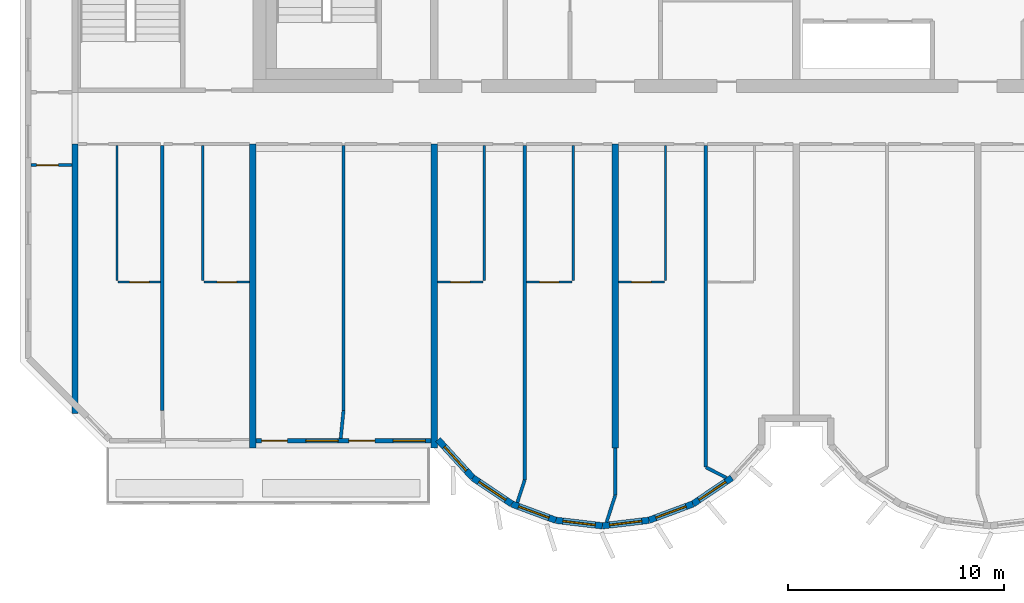
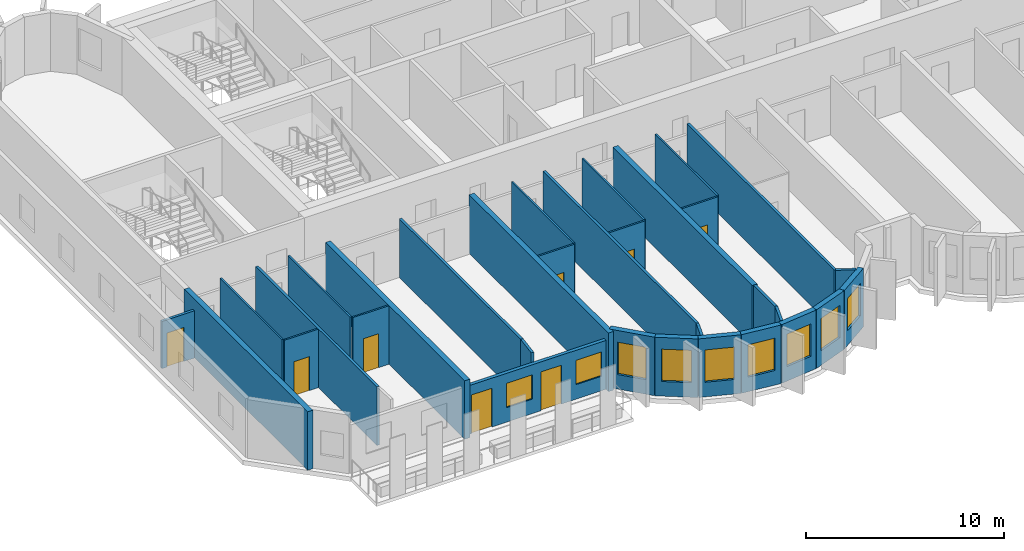
# One storey, part 2 of 11: 32 walls, 9 windows, 8 doors, 17 openings.
"""IFC4 building model written with IfcOpenShell, lengths in metres."""

from ifc_helpers import new_model, si_unit, direction, frame, frame_2d, origin, place, context, subcontext, project, spatial, rectangle, extrude, source, transform, mapped, material, layer, layer_set, type_object, element, fill, save


model = new_model("IFC4")

# Units and contexts
model_context = context("Model", 3, precision=1e-05, world=origin(), true_north=direction((0.0, 1.0)))
body_context = subcontext(model_context, "Body", "Model", "MODEL_VIEW")
ifc_project = project(units=[si_unit("LENGTHUNIT", "METRE"), si_unit("AREAUNIT", "SQUARE_METRE"), si_unit("VOLUMEUNIT", "CUBIC_METRE"), si_unit("PLANEANGLEUNIT", "RADIAN"), si_unit("MASSUNIT", "GRAM", prefix="KILO")], contexts=[model_context])

# Site, building, storey
site_placement = place(None, origin())
site = spatial("IfcSite", under=ifc_project, at=site_placement, CompositionType="ELEMENT")
building_placement = place(site_placement, origin())
building = spatial("IfcBuilding", under=site, at=building_placement, Name="Vanashikhar Sky Hotel", CompositionType="ELEMENT")
storey_placement = place(building_placement, frame((0.0, 0.0, 241.300048828125)))
storey = spatial("IfcBuildingStorey", under=building, at=storey_placement, Name="L58", CompositionType="ELEMENT", Elevation=241.300048828125)

# Walls
ifc_material_1 = material(Name="Concrete M60", Category="concrete")
ifc_layer_1 = layer(ifc_material_1, 0.300048828125)
ifc_layer_set_1 = layer_set([ifc_layer_1], Name="RC shear wall 300 Concrete M60")
wall_type_1 = type_object("IfcWallType", Name="RC shear wall 300 Concrete M60", PredefinedType="SHEAR", material=ifc_layer_set_1)
shared_shape_1 = source(origin(), body_context, "Body", "SweptSolid", [
    extrude(rectangle(XDim=12.5, YDim=0.300048828125, at=frame_2d((6.25, 0.0))), origin(), (0.0, 0.0, 1.0), 3.619873046875),
])
wall_1_placement = place(storey_placement, frame((16.949951171875, 7.10009765625, 0.0), z_axis=(0.0, 0.0, 1.0), x_axis=(0.0, 1.0, 0.0)))
element("IfcWall", 1, at=wall_1_placement, inside=storey, type_object=wall_type_1, Name="CW-L58-XW03-1", PredefinedType="SHEAR", context=body_context, shape_type="MappedRepresentation", body=[
    mapped(shared_shape_1, transform((0.0, 0.0, 0.0), scale=1.0)),
])
shared_shape_2 = source(origin(), body_context, "Body", "SweptSolid", [
    extrude(rectangle(XDim=14.10009765625, YDim=0.300048828125, at=frame_2d((7.050048828125, 0.0))), origin(), (0.0, 0.0, 1.0), 3.619873046875),
])
for number, where, z_axis, x_axis, name in (
    (2, (25.199951171875, 5.5, 0.0), (0.0, 0.0, 1.0), (0.0, 1.0, 0.0), "CW-L58-XW04-1"),
    (3, (33.60009765625, 5.5, 0.0), (0.0, 0.0, 1.0), (0.0, 1.0, 0.0), "CW-L58-XW05-1"),
    (4, (42.0, 5.5, 0.0), (0.0, 0.0, 1.0), (0.0, 1.0, 0.0), "CW-L58-XW06-1"),
):
    element("IfcWall", number, at=place(storey_placement, frame(where, z_axis=z_axis, x_axis=x_axis)), inside=storey, type_object=wall_type_1, Name=name, PredefinedType="SHEAR", context=body_context, shape_type="MappedRepresentation", body=[
        mapped(shared_shape_2, transform((0.0, 0.0, 0.0), scale=1.0)),
    ])

# Wall, openings, windows, doors
ifc_material_2 = material(Name="Concrete M50", Category="concrete")
ifc_layer_2 = layer(ifc_material_2, 0.199951171875)
ifc_layer_set_2 = layer_set([ifc_layer_2], Name="Front window wall 200")
wall_type_2 = type_object("IfcWallType", Name="Front window wall 200", PredefinedType="SOLIDWALL", material=ifc_layer_set_2)
shared_shape_3 = source(origin(), body_context, "Body", "SweptSolid", [
    extrude(rectangle(XDim=8.099853515625, YDim=0.199951171875, at=frame_2d((4.0498046875, 0.0))), origin(), (0.0, 0.0, 1.0), 3.02001953125),
])
wall_2_placement = place(storey_placement, frame((25.35009765625, 5.85009765625, 0.0), z_axis=(0.0, 0.0, 1.0), x_axis=(1.0, 0.0, 0.0)))
wall_2 = element("IfcWall", 5, at=wall_2_placement, inside=storey, type_object=wall_type_2, Name="Front window wall", PredefinedType="SOLIDWALL", context=body_context, shape_type="MappedRepresentation", body=[
    mapped(shared_shape_3, transform((0.0, 0.0, 0.0), scale=1.0)),
])
shared_shape_4 = source(origin(), body_context, "Body", "SweptSolid", [
    extrude(rectangle(XDim=1.199951171875, YDim=2.39990234375, at=frame_2d((0.60009765625, 1.199951171875))), frame((0.0, 0.10986328125, 0.0), z_axis=(0.0, -1.0, 0.0), x_axis=(1.0, 0.0, 0.0)), (0.0, 0.0, 1.0), 0.219970703125),
])
opening_1_placement = place(wall_2_placement, frame((0.25, 0.0, 0.0)))
opening_1 = element("IfcOpeningElement", 6, at=opening_1_placement, cuts=wall_2, Name="Opening BD-01", PredefinedType="OPENING", context=body_context, shape_type="MappedRepresentation", body=[
    mapped(shared_shape_4, transform((0.0, 0.0, 0.0), scale=1.0)),
])
shared_shape_5 = source(origin(), body_context, "Body", "SweptSolid", [
    extrude(rectangle(XDim=1.5, YDim=1.5, at=frame_2d((0.75, 0.75))), frame((0.0, 0.10986328125, 0.0), z_axis=(0.0, -1.0, 0.0), x_axis=(1.0, 0.0, 0.0)), (0.0, 0.0, 1.0), 0.219970703125),
])
opening_2_placement = place(wall_2_placement, frame((2.300048828125, 0.0, 0.89990234375)))
opening_2 = element("IfcOpeningElement", 7, at=opening_2_placement, cuts=wall_2, Name="Opening WN-1", PredefinedType="OPENING", context=body_context, shape_type="MappedRepresentation", body=[
    mapped(shared_shape_5, transform((0.0, 0.0, 0.0), scale=1.0)),
])
opening_3_placement = place(wall_2_placement, frame((4.300048828125, 0.0, 0.0)))
opening_3 = element("IfcOpeningElement", 8, at=opening_3_placement, cuts=wall_2, Name="Opening BD-02", PredefinedType="OPENING", context=body_context, shape_type="MappedRepresentation", body=[
    mapped(shared_shape_4, transform((0.0, 0.0, 0.0), scale=1.0)),
])
opening_4_placement = place(wall_2_placement, frame((6.35009765625, 0.0, 0.89990234375)))
opening_4 = element("IfcOpeningElement", 9, at=opening_4_placement, cuts=wall_2, Name="Opening WN-1", PredefinedType="OPENING", context=body_context, shape_type="MappedRepresentation", body=[
    mapped(shared_shape_5, transform((0.0, 0.0, 0.0), scale=1.0)),
])
ifc_material_3 = material(Name="Glass", Category="glass")
window_type_1 = type_object("IfcWindowType", Name="Window 1500 x 1500", PartitioningType="SINGLE_PANEL", PredefinedType="WINDOW", material=ifc_material_3)
shared_shape_6 = source(origin(), body_context, "Body", "SweptSolid", [
    extrude(rectangle(XDim=1.5, YDim=1.5, at=frame_2d((0.75, 0.75))), frame((0.0, 0.030029296875, 0.0), z_axis=(0.0, -1.0, 0.0), x_axis=(1.0, 0.0, 0.0)), (0.0, 0.0, 1.0), 0.06005859375),
])
window_1_placement = place(opening_2_placement, origin())
window_1 = element("IfcWindow", 10, at=window_1_placement, inside=storey, type_object=window_type_1, Name="Window WN-1", OverallHeight=1.5, OverallWidth=1.5, PartitioningType="SINGLE_PANEL", PredefinedType="WINDOW", context=body_context, shape_type="MappedRepresentation", body=[
    mapped(shared_shape_6, transform((0.0, 0.0, 0.0), scale=1.0)),
])
fill(opening_2, window_1)
window_2_placement = place(opening_4_placement, origin())
window_2 = element("IfcWindow", 11, at=window_2_placement, inside=storey, type_object=window_type_1, Name="Window WN-1", OverallHeight=1.5, OverallWidth=1.5, PartitioningType="SINGLE_PANEL", PredefinedType="WINDOW", context=body_context, shape_type="MappedRepresentation", body=[
    mapped(shared_shape_6, transform((0.0, 0.0, 0.0), scale=1.0)),
])
fill(opening_4, window_2)
ifc_material_4 = material(Name="Aluminium", Category="aluminium")
door_type_1 = type_object("IfcDoorType", Name="Balcony sliding door 1200 x 2400", OperationType="NOTDEFINED", PredefinedType="DOOR", material=ifc_material_4)
shared_shape_7 = source(origin(), body_context, "Body", "SweptSolid", [
    extrude(rectangle(XDim=1.199951171875, YDim=2.39990234375, at=frame_2d((0.60009765625, 1.199951171875))), frame((0.0, 0.02490234375, 0.0), z_axis=(0.0, -1.0, 0.0), x_axis=(1.0, 0.0, 0.0)), (0.0, 0.0, 1.0), 0.050048828125),
])
door_1_placement = place(opening_1_placement, origin())
door_1 = element("IfcDoor", 12, at=door_1_placement, inside=storey, type_object=door_type_1, Name="Balcony sliding door", OperationType="SLIDING_TO_LEFT", OverallHeight=2.39990234375, OverallWidth=1.199951171875, PredefinedType="DOOR", context=body_context, shape_type="MappedRepresentation", body=[
    mapped(shared_shape_7, transform((0.0, 0.0, 0.0), scale=1.0)),
])
fill(opening_1, door_1)
door_2_placement = place(opening_3_placement, origin())
door_2 = element("IfcDoor", 13, at=door_2_placement, inside=storey, type_object=door_type_1, Name="Balcony sliding door", OperationType="SLIDING_TO_RIGHT", OverallHeight=2.39990234375, OverallWidth=1.199951171875, PredefinedType="DOOR", context=body_context, shape_type="MappedRepresentation", body=[
    mapped(shared_shape_7, transform((0.0, 0.0, 0.0), scale=1.0)),
])
fill(opening_3, door_2)

# Wall, opening, window
ifc_layer_3 = layer(ifc_material_2, 0.300048828125)
ifc_layer_set_3 = layer_set([ifc_layer_3], Name="Lobe wall 300")
wall_type_3 = type_object("IfcWallType", Name="Lobe wall 300", PredefinedType="SOLIDWALL", material=ifc_layer_set_3)
shared_shape_8 = source(origin(), body_context, "Body", "SweptSolid", [
    extrude(rectangle(XDim=2.398193359375, YDim=0.300048828125, at=frame_2d((1.19921875, 0.0))), origin(), (0.0, 0.0, 1.0), 3.619873046875),
])
wall_3_placement = place(storey_placement, frame((33.776123046875, 5.89990234375, 0.0), z_axis=(0.0, 0.0, 1.0), x_axis=(0.675374189419, -0.737475222815, 0.0)))
wall_3 = element("IfcWall", 14, at=wall_3_placement, inside=storey, type_object=wall_type_3, Name="Lobe wall", PredefinedType="SOLIDWALL", context=body_context, shape_type="MappedRepresentation", body=[
    mapped(shared_shape_8, transform((0.0, 0.0, 0.0), scale=1.0)),
])
shared_shape_9 = source(origin(), body_context, "Body", "SweptSolid", [
    extrude(rectangle(XDim=1.5, YDim=2.0, at=frame_2d((0.75, 1.0))), frame((0.0, 0.16015625, 0.0), z_axis=(0.0, -1.0, 0.0), x_axis=(1.0, 0.0, 0.0)), (0.0, 0.0, 1.0), 0.320068359375),
])
opening_5_placement = place(wall_3_placement, frame((0.44921875, 0.0, 0.89990234375)))
opening_5 = element("IfcOpeningElement", 15, at=opening_5_placement, cuts=wall_3, Name="Opening WN-2", PredefinedType="OPENING", context=body_context, shape_type="MappedRepresentation", body=[
    mapped(shared_shape_9, transform((0.0, 0.0, 0.0), scale=1.0)),
])
window_type_2 = type_object("IfcWindowType", Name="Lobe window 1500 x 2000", PartitioningType="SINGLE_PANEL", PredefinedType="WINDOW", material=ifc_material_3)
shared_shape_10 = source(origin(), body_context, "Body", "SweptSolid", [
    extrude(rectangle(XDim=1.5, YDim=2.0, at=frame_2d((0.75, 1.0))), frame((0.0, 0.030029296875, 0.0), z_axis=(0.0, -1.0, 0.0), x_axis=(1.0, 0.0, 0.0)), (0.0, 0.0, 1.0), 0.06005859375),
])
window_3_placement = place(opening_5_placement, origin())
window_3 = element("IfcWindow", 16, at=window_3_placement, inside=storey, type_object=window_type_2, Name="Window WN-2", OverallHeight=2.0, OverallWidth=1.5, PartitioningType="SINGLE_PANEL", PredefinedType="WINDOW", context=body_context, shape_type="MappedRepresentation", body=[
    mapped(shared_shape_10, transform((0.0, 0.0, 0.0), scale=1.0)),
])
fill(opening_5, window_3)

shared_shape_11 = source(origin(), body_context, "Body", "SweptSolid", [
    extrude(rectangle(XDim=2.17578125, YDim=0.300048828125, at=frame_2d((1.087890625, 0.0))), origin(), (0.0, 0.0, 1.0), 3.619873046875),
])
wall_4_placement = place(storey_placement, frame((35.395751953125, 4.13134765625, 0.0), z_axis=(0.0, 0.0, 1.0), x_axis=(0.829590746428, -0.558371913192, 0.0)))
wall_4 = element("IfcWall", 17, at=wall_4_placement, inside=storey, type_object=wall_type_3, Name="Lobe wall", PredefinedType="SOLIDWALL", context=body_context, shape_type="MappedRepresentation", body=[
    mapped(shared_shape_11, transform((0.0, 0.0, 0.0), scale=1.0)),
])
opening_6_placement = place(wall_4_placement, frame((0.337890625, 0.0, 0.89990234375)))
opening_6 = element("IfcOpeningElement", 18, at=opening_6_placement, cuts=wall_4, Name="Opening WN-2", PredefinedType="OPENING", context=body_context, shape_type="MappedRepresentation", body=[
    mapped(shared_shape_9, transform((0.0, 0.0, 0.0), scale=1.0)),
])
window_4_placement = place(opening_6_placement, origin())
window_4 = element("IfcWindow", 19, at=window_4_placement, inside=storey, type_object=window_type_2, Name="Window WN-2", OverallHeight=2.0, OverallWidth=1.5, PartitioningType="SINGLE_PANEL", PredefinedType="WINDOW", context=body_context, shape_type="MappedRepresentation", body=[
    mapped(shared_shape_10, transform((0.0, 0.0, 0.0), scale=1.0)),
])
fill(opening_6, window_4)

wall_5_placement = place(storey_placement, frame((37.20068359375, 2.91650390625, 0.0), z_axis=(0.0, 0.0, 1.0), x_axis=(0.93754555999, -0.347862505801, 0.0)))
wall_5 = element("IfcWall", 20, at=wall_5_placement, inside=storey, type_object=wall_type_3, Name="Lobe wall", PredefinedType="SOLIDWALL", context=body_context, shape_type="MappedRepresentation", body=[
    mapped(shared_shape_11, transform((0.0, 0.0, 0.0), scale=1.0)),
])
opening_7_placement = place(wall_5_placement, frame((0.337890625, 0.0, 0.89990234375)))
opening_7 = element("IfcOpeningElement", 21, at=opening_7_placement, cuts=wall_5, Name="Opening WN-2", PredefinedType="OPENING", context=body_context, shape_type="MappedRepresentation", body=[
    mapped(shared_shape_9, transform((0.0, 0.0, 0.0), scale=1.0)),
])
window_5_placement = place(opening_7_placement, origin())
window_5 = element("IfcWindow", 22, at=window_5_placement, inside=storey, type_object=window_type_2, Name="Window WN-2", OverallHeight=2.0, OverallWidth=1.5, PartitioningType="SINGLE_PANEL", PredefinedType="WINDOW", context=body_context, shape_type="MappedRepresentation", body=[
    mapped(shared_shape_10, transform((0.0, 0.0, 0.0), scale=1.0)),
])
fill(opening_7, window_5)

wall_6_placement = place(storey_placement, frame((45.59912109375, 2.91650390625, 0.0), z_axis=(0.0, 0.0, 1.0), x_axis=(0.829625727223, 0.558319937607, 0.0)))
wall_6 = element("IfcWall", 23, at=wall_6_placement, inside=storey, type_object=wall_type_3, Name="Lobe wall", PredefinedType="SOLIDWALL", context=body_context, shape_type="MappedRepresentation", body=[
    mapped(shared_shape_11, transform((0.0, 0.0, 0.0), scale=1.0)),
])
opening_8_placement = place(wall_6_placement, frame((0.337890625, 0.0, 0.89990234375)))
opening_8 = element("IfcOpeningElement", 24, at=opening_8_placement, cuts=wall_6, Name="Opening WN-2", PredefinedType="OPENING", context=body_context, shape_type="MappedRepresentation", body=[
    mapped(shared_shape_9, transform((0.0, 0.0, 0.0), scale=1.0)),
])
window_6_placement = place(opening_8_placement, origin())
window_6 = element("IfcWindow", 25, at=window_6_placement, inside=storey, type_object=window_type_2, Name="Window WN-2", OverallHeight=2.0, OverallWidth=1.5, PartitioningType="SINGLE_PANEL", PredefinedType="WINDOW", context=body_context, shape_type="MappedRepresentation", body=[
    mapped(shared_shape_10, transform((0.0, 0.0, 0.0), scale=1.0)),
])
fill(opening_8, window_6)

shared_shape_12 = source(origin(), body_context, "Body", "SweptSolid", [
    extrude(rectangle(XDim=2.174560546875, YDim=0.300048828125, at=frame_2d((1.08740234375, 0.0))), origin(), (0.0, 0.0, 1.0), 3.619873046875),
])
wall_7_placement = place(storey_placement, frame((39.240478515625, 2.15966796875, 0.0), z_axis=(0.0, 0.0, 1.0), x_axis=(0.993001132889, -0.118104826659, 0.0)))
wall_7 = element("IfcWall", 26, at=wall_7_placement, inside=storey, type_object=wall_type_3, Name="Lobe wall", PredefinedType="SOLIDWALL", context=body_context, shape_type="MappedRepresentation", body=[
    mapped(shared_shape_12, transform((0.0, 0.0, 0.0), scale=1.0)),
])
opening_9_placement = place(wall_7_placement, frame((0.33740234375, 0.0, 0.89990234375)))
opening_9 = element("IfcOpeningElement", 27, at=opening_9_placement, cuts=wall_7, Name="Opening WN-2", PredefinedType="OPENING", context=body_context, shape_type="MappedRepresentation", body=[
    mapped(shared_shape_9, transform((0.0, 0.0, 0.0), scale=1.0)),
])
window_7_placement = place(opening_9_placement, origin())
window_7 = element("IfcWindow", 28, at=window_7_placement, inside=storey, type_object=window_type_2, Name="Window WN-2", OverallHeight=2.0, OverallWidth=1.5, PartitioningType="SINGLE_PANEL", PredefinedType="WINDOW", context=body_context, shape_type="MappedRepresentation", body=[
    mapped(shared_shape_10, transform((0.0, 0.0, 0.0), scale=1.0)),
])
fill(opening_9, window_7)

shared_shape_13 = source(origin(), body_context, "Body", "SweptSolid", [
    extrude(rectangle(XDim=2.1748046875, YDim=0.300048828125, at=frame_2d((1.08740234375, 0.0))), origin(), (0.0, 0.0, 1.0), 3.619873046875),
])
wall_8_placement = place(storey_placement, frame((41.39990234375, 1.90283203125, 0.0), z_axis=(0.0, 0.0, 1.0), x_axis=(0.993002698611, 0.118091661648, 0.0)))
wall_8 = element("IfcWall", 29, at=wall_8_placement, inside=storey, type_object=wall_type_3, Name="Lobe wall", PredefinedType="SOLIDWALL", context=body_context, shape_type="MappedRepresentation", body=[
    mapped(shared_shape_13, transform((0.0, 0.0, 0.0), scale=1.0)),
])
opening_10_placement = place(wall_8_placement, frame((0.33740234375, 0.0, 0.89990234375)))
opening_10 = element("IfcOpeningElement", 30, at=opening_10_placement, cuts=wall_8, Name="Opening WN-2", PredefinedType="OPENING", context=body_context, shape_type="MappedRepresentation", body=[
    mapped(shared_shape_9, transform((0.0, 0.0, 0.0), scale=1.0)),
])
window_8_placement = place(opening_10_placement, origin())
window_8 = element("IfcWindow", 31, at=window_8_placement, inside=storey, type_object=window_type_2, Name="Window WN-2", OverallHeight=2.0, OverallWidth=1.5, PartitioningType="SINGLE_PANEL", PredefinedType="WINDOW", context=body_context, shape_type="MappedRepresentation", body=[
    mapped(shared_shape_10, transform((0.0, 0.0, 0.0), scale=1.0)),
])
fill(opening_10, window_8)

shared_shape_14 = source(origin(), body_context, "Body", "SweptSolid", [
    extrude(rectangle(XDim=2.175537109375, YDim=0.300048828125, at=frame_2d((1.087890625, 0.0))), origin(), (0.0, 0.0, 1.0), 3.619873046875),
])
wall_9_placement = place(storey_placement, frame((43.5595703125, 2.15966796875, 0.0), z_axis=(0.0, 0.0, 1.0), x_axis=(0.937531979054, 0.347899106424, 0.0)))
wall_9 = element("IfcWall", 32, at=wall_9_placement, inside=storey, type_object=wall_type_3, Name="Lobe wall", PredefinedType="SOLIDWALL", context=body_context, shape_type="MappedRepresentation", body=[
    mapped(shared_shape_14, transform((0.0, 0.0, 0.0), scale=1.0)),
])
opening_11_placement = place(wall_9_placement, frame((0.337890625, 0.0, 0.89990234375)))
opening_11 = element("IfcOpeningElement", 33, at=opening_11_placement, cuts=wall_9, Name="Opening WN-2", PredefinedType="OPENING", context=body_context, shape_type="MappedRepresentation", body=[
    mapped(shared_shape_9, transform((0.0, 0.0, 0.0), scale=1.0)),
])
window_9_placement = place(opening_11_placement, origin())
window_9 = element("IfcWindow", 34, at=window_9_placement, inside=storey, type_object=window_type_2, Name="Window WN-2", OverallHeight=2.0, OverallWidth=1.5, PartitioningType="SINGLE_PANEL", PredefinedType="WINDOW", context=body_context, shape_type="MappedRepresentation", body=[
    mapped(shared_shape_10, transform((0.0, 0.0, 0.0), scale=1.0)),
])
fill(opening_11, window_9)

# Wall, opening, door
ifc_material_5 = material(Name="Gypsum plasterboard partition")
ifc_layer_4 = layer(ifc_material_5, 0.14990234375)
ifc_layer_set_4 = layer_set([ifc_layer_4], Name="Corridor and demising partition 150")
wall_type_4 = type_object("IfcWallType", Name="Corridor and demising partition 150", PredefinedType="PARTITIONING", material=ifc_layer_set_4)
shared_shape_15 = source(origin(), body_context, "Body", "SweptSolid", [
    extrude(rectangle(XDim=1.900146484375, YDim=0.14990234375, at=frame_2d((0.9501953125, 0.0))), origin(), (0.0, 0.0, 1.0), 2.919921875),
])
wall_10_placement = place(storey_placement, frame((14.89990234375, 18.6279296875, 0.0), z_axis=(0.0, 0.0, 1.0), x_axis=(1.0, 0.0, 0.0)))
wall_10 = element("IfcWall", 35, at=wall_10_placement, inside=storey, type_object=wall_type_4, Name="W-L58-PW043", PredefinedType="PARTITIONING", context=body_context, shape_type="MappedRepresentation", body=[
    mapped(shared_shape_15, transform((0.0, 0.0, 0.0), scale=1.0)),
])
shared_shape_16 = source(origin(), body_context, "Body", "SweptSolid", [
    extrude(rectangle(XDim=1.0, YDim=2.10009765625, at=frame_2d((0.5, 1.050048828125))), frame((0.0, 0.0849609375, 0.0), z_axis=(0.0, -1.0, 0.0), x_axis=(1.0, 0.0, 0.0)), (0.0, 0.0, 1.0), 0.169921875),
])
opening_12_placement = place(wall_10_placement, frame((0.27490234375, 0.0, 0.0)))
opening_12 = element("IfcOpeningElement", 36, at=opening_12_placement, cuts=wall_10, Name="Opening D-01", PredefinedType="OPENING", context=body_context, shape_type="MappedRepresentation", body=[
    mapped(shared_shape_16, transform((0.0, 0.0, 0.0), scale=1.0)),
])
ifc_material_6 = material(Name="Timber fire door", Category="wood")
door_type_2 = type_object("IfcDoorType", Name="Guest entry door 1000 FD30S", OperationType="NOTDEFINED", PredefinedType="DOOR", material=ifc_material_6)
shared_shape_17 = source(origin(), body_context, "Body", "SweptSolid", [
    extrude(rectangle(XDim=1.0, YDim=2.10009765625, at=frame_2d((0.5, 1.050048828125))), frame((0.0, 0.02490234375, 0.0), z_axis=(0.0, -1.0, 0.0), x_axis=(1.0, 0.0, 0.0)), (0.0, 0.0, 1.0), 0.050048828125),
])
door_3_placement = place(opening_12_placement, origin())
door_3 = element("IfcDoor", 37, at=door_3_placement, inside=storey, type_object=door_type_2, Name="D-L58-026", OperationType="SINGLE_SWING_LEFT", OverallHeight=2.10009765625, OverallWidth=1.0, PredefinedType="DOOR", context=body_context, shape_type="MappedRepresentation", body=[
    mapped(shared_shape_17, transform((0.0, 0.0, 0.0), scale=1.0)),
])
fill(opening_12, door_3)

ifc_layer_5 = layer(ifc_material_5, 0.10009765625)
ifc_layer_set_5 = layer_set([ifc_layer_5], Name="Wet room partition 100")
wall_type_5 = type_object("IfcWallType", Name="Wet room partition 100", PredefinedType="PARTITIONING", material=ifc_layer_set_5)
shared_shape_18 = source(origin(), body_context, "Body", "SweptSolid", [
    extrude(rectangle(XDim=1.97509765625, YDim=0.10009765625, at=frame_2d((0.987548828125, 0.0))), origin(), (0.0, 0.0, 1.0), 3.619873046875),
])
wall_11_placement = place(storey_placement, frame((18.949951171875, 13.199951171875, 0.0), z_axis=(0.0, 0.0, 1.0), x_axis=(1.0, 0.0, 0.0)))
wall_11 = element("IfcWall", 38, at=wall_11_placement, inside=storey, type_object=wall_type_5, Name="W-L58-PW002", PredefinedType="PARTITIONING", context=body_context, shape_type="MappedRepresentation", body=[
    mapped(shared_shape_18, transform((0.0, 0.0, 0.0), scale=1.0)),
])
shared_shape_19 = source(origin(), body_context, "Body", "SweptSolid", [
    extrude(rectangle(XDim=0.89990234375, YDim=2.10009765625, at=frame_2d((0.449951171875, 1.050048828125))), frame((0.0, 0.06005859375, 0.0), z_axis=(0.0, -1.0, 0.0), x_axis=(1.0, 0.0, 0.0)), (0.0, 0.0, 1.0), 0.1201171875),
])
opening_13_placement = place(wall_11_placement, frame((0.5380859375, 0.0, 0.0)))
opening_13 = element("IfcOpeningElement", 39, at=opening_13_placement, cuts=wall_11, Name="Opening D-02", PredefinedType="OPENING", context=body_context, shape_type="MappedRepresentation", body=[
    mapped(shared_shape_19, transform((0.0, 0.0, 0.0), scale=1.0)),
])
ifc_material_7 = material(Name="Timber door", Category="wood")
door_type_3 = type_object("IfcDoorType", Name="Internal door 900", OperationType="NOTDEFINED", PredefinedType="DOOR", material=ifc_material_7)
shared_shape_20 = source(origin(), body_context, "Body", "SweptSolid", [
    extrude(rectangle(XDim=0.89990234375, YDim=2.10009765625, at=frame_2d((0.449951171875, 1.050048828125))), frame((0.0, 0.02490234375, 0.0), z_axis=(0.0, -1.0, 0.0), x_axis=(1.0, 0.0, 0.0)), (0.0, 0.0, 1.0), 0.050048828125),
])
door_4_placement = place(opening_13_placement, origin())
door_4 = element("IfcDoor", 40, at=door_4_placement, inside=storey, type_object=door_type_3, Name="D-L58-001", OperationType="SINGLE_SWING_LEFT", OverallHeight=2.10009765625, OverallWidth=0.89990234375, PredefinedType="DOOR", context=body_context, shape_type="MappedRepresentation", body=[
    mapped(shared_shape_20, transform((0.0, 0.0, 0.0), scale=1.0)),
])
fill(opening_13, door_4)

shared_shape_21 = source(origin(), body_context, "Body", "SweptSolid", [
    extrude(rectangle(XDim=2.125, YDim=0.10009765625, at=frame_2d((1.0625, 0.0))), origin(), (0.0, 0.0, 1.0), 3.619873046875),
])
wall_12_placement = place(storey_placement, frame((22.925048828125, 13.199951171875, 0.0), z_axis=(0.0, 0.0, 1.0), x_axis=(1.0, 0.0, 0.0)))
wall_12 = element("IfcWall", 41, at=wall_12_placement, inside=storey, type_object=wall_type_5, Name="W-L58-PW005", PredefinedType="PARTITIONING", context=body_context, shape_type="MappedRepresentation", body=[
    mapped(shared_shape_21, transform((0.0, 0.0, 0.0), scale=1.0)),
])
opening_14_placement = place(wall_12_placement, frame((0.613037109375, 0.0, 0.0)))
opening_14 = element("IfcOpeningElement", 42, at=opening_14_placement, cuts=wall_12, Name="Opening D-02", PredefinedType="OPENING", context=body_context, shape_type="MappedRepresentation", body=[
    mapped(shared_shape_19, transform((0.0, 0.0, 0.0), scale=1.0)),
])
door_5_placement = place(opening_14_placement, origin())
door_5 = element("IfcDoor", 43, at=door_5_placement, inside=storey, type_object=door_type_3, Name="D-L58-003", OperationType="SINGLE_SWING_LEFT", OverallHeight=2.10009765625, OverallWidth=0.89990234375, PredefinedType="DOOR", context=body_context, shape_type="MappedRepresentation", body=[
    mapped(shared_shape_20, transform((0.0, 0.0, 0.0), scale=1.0)),
])
fill(opening_14, door_5)

wall_13_placement = place(storey_placement, frame((33.75, 13.199951171875, 0.0), z_axis=(0.0, 0.0, 1.0), x_axis=(1.0, 0.0, 0.0)))
wall_13 = element("IfcWall", 44, at=wall_13_placement, inside=storey, type_object=wall_type_5, Name="W-L58-PW012", PredefinedType="PARTITIONING", context=body_context, shape_type="MappedRepresentation", body=[
    mapped(shared_shape_21, transform((0.0, 0.0, 0.0), scale=1.0)),
])
opening_15_placement = place(wall_13_placement, frame((0.612060546875, 0.0, 0.0)))
opening_15 = element("IfcOpeningElement", 45, at=opening_15_placement, cuts=wall_13, Name="Opening D-02", PredefinedType="OPENING", context=body_context, shape_type="MappedRepresentation", body=[
    mapped(shared_shape_19, transform((0.0, 0.0, 0.0), scale=1.0)),
])
door_6_placement = place(opening_15_placement, origin())
door_6 = element("IfcDoor", 46, at=door_6_placement, inside=storey, type_object=door_type_3, Name="D-L58-007", OperationType="SINGLE_SWING_RIGHT", OverallHeight=2.10009765625, OverallWidth=0.89990234375, PredefinedType="DOOR", context=body_context, shape_type="MappedRepresentation", body=[
    mapped(shared_shape_20, transform((0.0, 0.0, 0.0), scale=1.0)),
])
fill(opening_15, door_6)

wall_14_placement = place(storey_placement, frame((37.875, 13.199951171875, 0.0), z_axis=(0.0, 0.0, 1.0), x_axis=(1.0, 0.0, 0.0)))
wall_14 = element("IfcWall", 47, at=wall_14_placement, inside=storey, type_object=wall_type_5, Name="W-L58-PW015", PredefinedType="PARTITIONING", context=body_context, shape_type="MappedRepresentation", body=[
    mapped(shared_shape_21, transform((0.0, 0.0, 0.0), scale=1.0)),
])
opening_16_placement = place(wall_14_placement, frame((0.612060546875, 0.0, 0.0)))
opening_16 = element("IfcOpeningElement", 48, at=opening_16_placement, cuts=wall_14, Name="Opening D-02", PredefinedType="OPENING", context=body_context, shape_type="MappedRepresentation", body=[
    mapped(shared_shape_19, transform((0.0, 0.0, 0.0), scale=1.0)),
])
door_7_placement = place(opening_16_placement, origin())
door_7 = element("IfcDoor", 49, at=door_7_placement, inside=storey, type_object=door_type_3, Name="D-L58-009", OperationType="SINGLE_SWING_RIGHT", OverallHeight=2.10009765625, OverallWidth=0.89990234375, PredefinedType="DOOR", context=body_context, shape_type="MappedRepresentation", body=[
    mapped(shared_shape_20, transform((0.0, 0.0, 0.0), scale=1.0)),
])
fill(opening_16, door_7)

wall_15_placement = place(storey_placement, frame((42.14990234375, 13.199951171875, 0.0), z_axis=(0.0, 0.0, 1.0), x_axis=(1.0, 0.0, 0.0)))
wall_15 = element("IfcWall", 50, at=wall_15_placement, inside=storey, type_object=wall_type_5, Name="W-L58-PW019", PredefinedType="PARTITIONING", context=body_context, shape_type="MappedRepresentation", body=[
    mapped(shared_shape_21, transform((0.0, 0.0, 0.0), scale=1.0)),
])
opening_17_placement = place(wall_15_placement, frame((0.613037109375, 0.0, 0.0)))
opening_17 = element("IfcOpeningElement", 51, at=opening_17_placement, cuts=wall_15, Name="Opening D-02", PredefinedType="OPENING", context=body_context, shape_type="MappedRepresentation", body=[
    mapped(shared_shape_19, transform((0.0, 0.0, 0.0), scale=1.0)),
])
door_8_placement = place(opening_17_placement, origin())
door_8 = element("IfcDoor", 52, at=door_8_placement, inside=storey, type_object=door_type_3, Name="D-L58-011", OperationType="SINGLE_SWING_RIGHT", OverallHeight=2.10009765625, OverallWidth=0.89990234375, PredefinedType="DOOR", context=body_context, shape_type="MappedRepresentation", body=[
    mapped(shared_shape_20, transform((0.0, 0.0, 0.0), scale=1.0)),
])
fill(opening_17, door_8)

# Walls
shared_shape_22 = source(origin(), body_context, "Body", "SweptSolid", [
    extrude(rectangle(XDim=12.27490234375, YDim=0.14990234375, at=frame_2d((6.137451171875, 0.0))), origin(), (0.0, 0.0, 1.0), 3.619873046875),
])
for number, where, z_axis, x_axis, name in (
    (53, (21.0, 7.25, 0.0), (0.0, 0.0, 1.0), (0.0, 1.0, 0.0), "W-L58-PW007"),
    (54, (29.39990234375, 7.25, 0.0), (0.0, 0.0, 1.0), (0.0, 1.0, 0.0), "W-L58-PW010"),
):
    element("IfcWall", number, at=place(storey_placement, frame(where, z_axis=z_axis, x_axis=x_axis)), inside=storey, type_object=wall_type_4, Name=name, PredefinedType="PARTITIONING", context=body_context, shape_type="MappedRepresentation", body=[
        mapped(shared_shape_22, transform((0.0, 0.0, 0.0), scale=1.0)),
    ])
shared_shape_23 = source(origin(), body_context, "Body", "SweptSolid", [
    extrude(rectangle(XDim=14.906005859375, YDim=0.14990234375, at=frame_2d((7.453125, 0.0))), origin(), (0.0, 0.0, 1.0), 3.619873046875),
])
wall_16_placement = place(storey_placement, frame((46.199951171875, 4.618896484375, 0.0), z_axis=(0.0, 0.0, 1.0), x_axis=(0.0, 1.0, 0.0)))
element("IfcWall", 55, at=wall_16_placement, inside=storey, type_object=wall_type_4, Name="W-L58-PW024", PredefinedType="PARTITIONING", context=body_context, shape_type="MappedRepresentation", body=[
    mapped(shared_shape_23, transform((0.0, 0.0, 0.0), scale=1.0)),
])
shared_shape_24 = source(origin(), body_context, "Body", "SweptSolid", [
    extrude(rectangle(XDim=15.497802734375, YDim=0.14990234375, at=frame_2d((7.7490234375, 0.0))), origin(), (0.0, 0.0, 1.0), 3.619873046875),
])
wall_17_placement = place(storey_placement, frame((37.800048828125, 4.027099609375, 0.0), z_axis=(0.0, 0.0, 1.0), x_axis=(0.0, 1.0, 0.0)))
element("IfcWall", 56, at=wall_17_placement, inside=storey, type_object=wall_type_4, Name="W-L58-PW017", PredefinedType="PARTITIONING", context=body_context, shape_type="MappedRepresentation", body=[
    mapped(shared_shape_24, transform((0.0, 0.0, 0.0), scale=1.0)),
])
shared_shape_25 = source(origin(), body_context, "Body", "SweptSolid", [
    extrude(rectangle(XDim=2.177978515625, YDim=0.14990234375, at=frame_2d((1.0888671875, 0.0))), origin(), (0.0, 0.0, 1.0), 3.619873046875),
])
wall_18_placement = place(storey_placement, frame((42.0, 3.322021484375, 0.0), z_axis=(0.0, 0.0, 1.0), x_axis=(0.0, 1.0, 0.0)))
element("IfcWall", 57, at=wall_18_placement, inside=storey, type_object=wall_type_4, Name="W-L58-PW039", PredefinedType="PARTITIONING", context=body_context, shape_type="MappedRepresentation", body=[
    mapped(shared_shape_25, transform((0.0, 0.0, 0.0), scale=1.0)),
])
shared_shape_26 = source(origin(), body_context, "Body", "SweptSolid", [
    extrude(rectangle(XDim=1.100830078125, YDim=0.14990234375, at=frame_2d((0.55029296875, 0.0))), origin(), (0.0, 0.0, 1.0), 3.619873046875),
])
wall_19_placement = place(storey_placement, frame((37.45703125, 2.98095703125, 0.0), z_axis=(0.0, 0.0, 1.0), x_axis=(0.311567081539, 0.950224159712, 0.0)))
element("IfcWall", 58, at=wall_19_placement, inside=storey, type_object=wall_type_4, Name="W-L58-PW017B0", PredefinedType="PARTITIONING", context=body_context, shape_type="MappedRepresentation", body=[
    mapped(shared_shape_26, transform((0.0, 0.0, 0.0), scale=1.0)),
])
shared_shape_27 = source(origin(), body_context, "Body", "SweptSolid", [
    extrude(rectangle(XDim=1.306640625, YDim=0.14990234375, at=frame_2d((0.6533203125, 0.0))), origin(), (0.0, 0.0, 1.0), 3.619873046875),
])
wall_20_placement = place(storey_placement, frame((29.27001953125, 5.949951171875, 0.0), z_axis=(0.0, 0.0, 1.0), x_axis=(0.099411212066, 0.995046436562, 0.0)))
element("IfcWall", 59, at=wall_20_placement, inside=storey, type_object=wall_type_4, Name="W-L58-PW010B0", PredefinedType="PARTITIONING", context=body_context, shape_type="MappedRepresentation", body=[
    mapped(shared_shape_27, transform((0.0, 0.0, 0.0), scale=1.0)),
])
shared_shape_28 = source(origin(), body_context, "Body", "SweptSolid", [
    extrude(rectangle(XDim=1.308349609375, YDim=0.14990234375, at=frame_2d((0.654296875, 0.0))), origin(), (0.0, 0.0, 1.0), 3.619873046875),
])
wall_21_placement = place(storey_placement, frame((41.597900390625, 2.076904296875, 0.0), z_axis=(0.0, 0.0, 1.0), x_axis=(0.307313512187, 0.951608325535, 0.0)))
element("IfcWall", 60, at=wall_21_placement, inside=storey, type_object=wall_type_4, Name="W-L58-PW039B0", PredefinedType="PARTITIONING", context=body_context, shape_type="MappedRepresentation", body=[
    mapped(shared_shape_28, transform((0.0, 0.0, 0.0), scale=1.0)),
])
shared_shape_29 = source(origin(), body_context, "Body", "SweptSolid", [
    extrude(rectangle(XDim=1.0576171875, YDim=0.14990234375, at=frame_2d((0.52880859375, 0.0))), origin(), (0.0, 0.0, 1.0), 3.619873046875),
])
wall_22_placement = place(storey_placement, frame((47.139892578125, 4.134033203125, 0.0), z_axis=(0.0, 0.0, 1.0), x_axis=(-0.888723819054, 0.458442988218, 0.0)))
element("IfcWall", 61, at=wall_22_placement, inside=storey, type_object=wall_type_4, Name="W-L58-PW024B0", PredefinedType="PARTITIONING", context=body_context, shape_type="MappedRepresentation", body=[
    mapped(shared_shape_29, transform((0.0, 0.0, 0.0), scale=1.0)),
])
shared_shape_30 = source(origin(), body_context, "Body", "SweptSolid", [
    extrude(rectangle(XDim=6.25, YDim=0.10009765625, at=frame_2d((3.125, 0.0))), origin(), (0.0, 0.0, 1.0), 3.619873046875),
])
for number, where, z_axis, x_axis, name in (
    (62, (18.89990234375, 13.27490234375, 0.0), (0.0, 0.0, 1.0), (0.0, 1.0, 0.0), "W-L58-PW001"),
    (63, (22.875, 13.27490234375, 0.0), (0.0, 0.0, 1.0), (0.0, 1.0, 0.0), "W-L58-PW004"),
    (64, (35.925048828125, 13.27490234375, 0.0), (0.0, 0.0, 1.0), (0.0, 1.0, 0.0), "W-L58-PW011"),
    (65, (40.050048828125, 13.27490234375, 0.0), (0.0, 0.0, 1.0), (0.0, 1.0, 0.0), "W-L58-PW014"),
    (66, (44.324951171875, 13.27490234375, 0.0), (0.0, 0.0, 1.0), (0.0, 1.0, 0.0), "W-L58-PW018"),
):
    element("IfcWall", number, at=place(storey_placement, frame(where, z_axis=z_axis, x_axis=x_axis)), inside=storey, type_object=wall_type_5, Name=name, PredefinedType="PARTITIONING", context=body_context, shape_type="MappedRepresentation", body=[
        mapped(shared_shape_30, transform((0.0, 0.0, 0.0), scale=1.0)),
    ])

save(model, "model.ifc")
